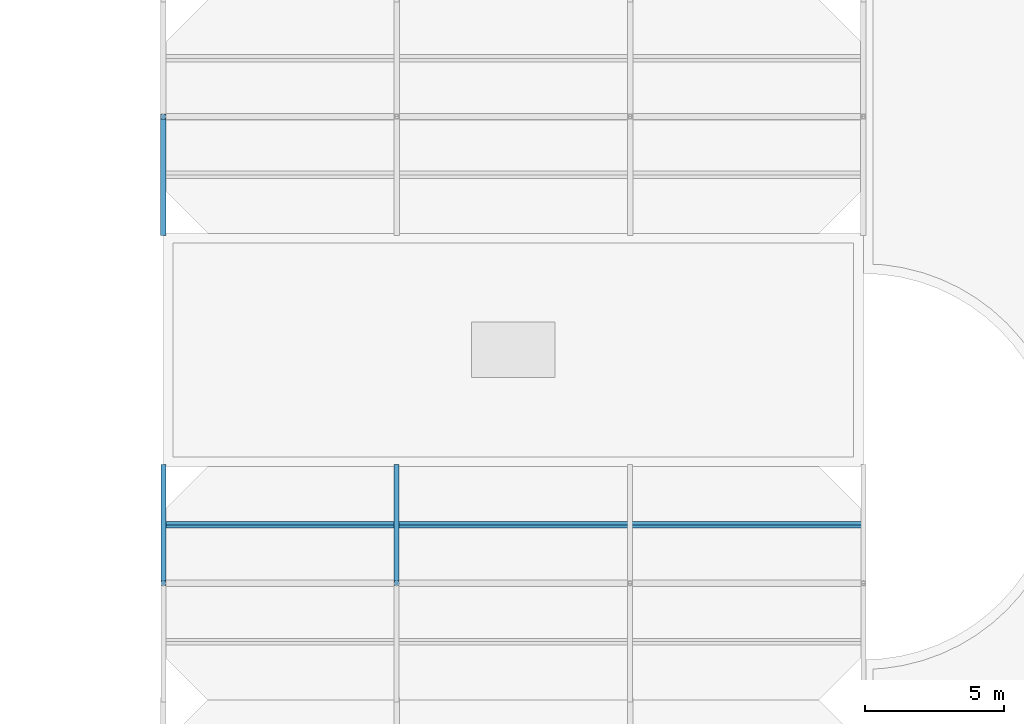
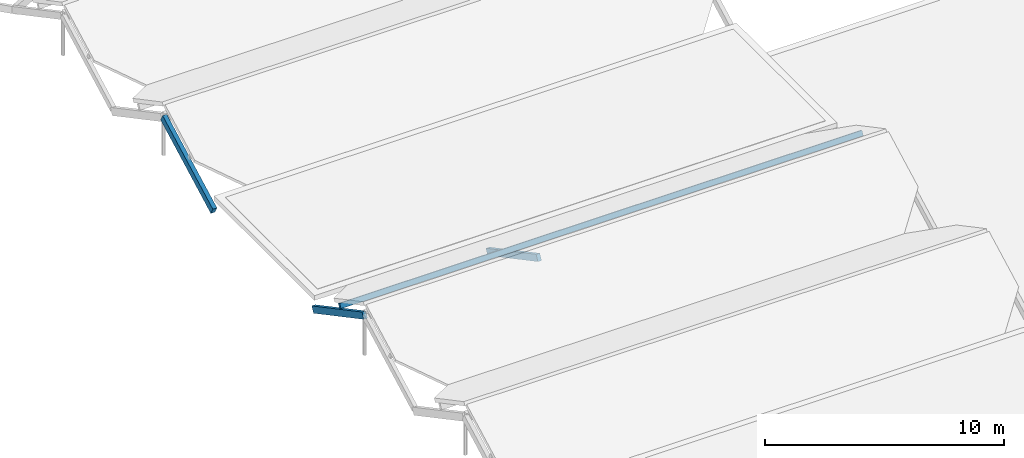
# One storey, part 52 of 82: 4 members.
"""IFC4 building model written with IfcOpenShell, lengths in metres."""

from ifc_helpers import new_model, si_unit, direction, frame, origin, origin_2d, place, context, subcontext, project, spatial, rectangle, extrude, material, material_profile, profile_set, type_object, element, save


model = new_model("IFC4")

# Units and contexts
model_context = context("Model", 3, precision=1e-05, world=origin(), true_north=direction((0.0, 1.0)))
body_context = subcontext(model_context, "Body", "Model", "MODEL_VIEW")
ifc_project = project(units=[si_unit("LENGTHUNIT", "METRE"), si_unit("AREAUNIT", "SQUARE_METRE"), si_unit("VOLUMEUNIT", "CUBIC_METRE"), si_unit("PLANEANGLEUNIT", "RADIAN"), si_unit("MASSUNIT", "GRAM", prefix="KILO")], contexts=[model_context])

# Site, building, storey
site_placement = place(None, origin())
site = spatial("IfcSite", under=ifc_project, at=site_placement, CompositionType="ELEMENT")
building_placement = place(site_placement, origin())
building = spatial("IfcBuilding", under=site, at=building_placement, Name="Bramfleet General Hospital", CompositionType="ELEMENT")
storey_placement = place(building_placement, frame((0.0, 0.0, 34.199951171875)))
storey = spatial("IfcBuildingStorey", under=building, at=storey_placement, Name="Roof", CompositionType="ELEMENT", Elevation=34.199951171875)

# Members
ifc_material = material(Name="Structural timber GL28h", Category="wood")
ifc_material_profile_1 = material_profile(ifc_material, rectangle(XDim=0.139892578125, YDim=0.239990234375, at=origin_2d()), Name="GL28h 240x140")
ifc_profile_set_1 = profile_set([ifc_material_profile_1], Name="Structural timber GL28h")
member_type_1 = type_object("IfcMemberType", Name="MEM-PR-GL240", PredefinedType="PURLIN", material=ifc_profile_set_1)
member_1_placement = place(storey_placement, frame((92.39990234375, 65.10009765625, 0.754638671875), z_axis=(1.0, 0.0, 0.0), x_axis=(0.0, 0.882947592859, -0.469471562786)))
element("IfcMember", 1, at=member_1_placement, inside=storey, type_object=member_type_1, Name="Patient House PH-12 North Glulam Purlin", PredefinedType="PURLIN", context=body_context, shape_type="SweptSolid", body=[
    extrude(rectangle(XDim=0.139892578125, YDim=0.239990234375, at=origin_2d()), origin(), (0.0, 0.0, 1.0), 25.2001953125),
])
ifc_material_profile_2 = material_profile(ifc_material, rectangle(XDim=0.179931640625, YDim=0.320068359375, at=origin_2d()), Name="GL28h 320x180")
ifc_profile_set_2 = profile_set([ifc_material_profile_2], Name="Structural timber GL28h")
member_type_2 = type_object("IfcMemberType", Name="MEM-RF-GL320", PredefinedType="RAFTER", material=ifc_profile_set_2)
for number, where, z_axis, x_axis, name in (
    (2, (92.39990234375, 63.0, 1.561279296875), (0.0, 0.882947536541, -0.469471668705), (-1.0, 0.0, 0.0), "Patient House PH-12 North Glulam Rafter 0"),
    (3, (100.800048828125, 63.0, 1.561279296875), (0.0, 0.882947536541, -0.469471668705), (-1.0, 0.0, 0.0), "Patient House PH-12 North Glulam Rafter 1"),
):
    element("IfcMember", number, at=place(storey_placement, frame(where, z_axis=z_axis, x_axis=x_axis)), inside=storey, type_object=member_type_2, Name=name, PredefinedType="RAFTER", context=body_context, shape_type="SweptSolid", body=[
        extrude(rectangle(XDim=0.179931640625, YDim=0.320068359375, at=origin_2d()), origin(), (0.0, 0.0, 1.0), 4.7568359375),
    ])
ifc_material_profile_3 = material_profile(ifc_material, rectangle(XDim=0.199951171875, YDim=0.360107421875, at=origin_2d()), Name="GL28h 360x200")
ifc_profile_set_3 = profile_set([ifc_material_profile_3], Name="Structural timber GL28h")
member_type_3 = type_object("IfcMemberType", Name="MEM-RF-GL360", PredefinedType="RAFTER", material=ifc_profile_set_3)
member_2_placement = place(storey_placement, frame((92.39990234375, 75.60009765625, -0.75634765625), z_axis=(0.0, 0.882947536541, 0.469471668705), x_axis=(-1.0, 0.0, 0.0)))
element("IfcMember", 4, at=member_2_placement, inside=storey, type_object=member_type_3, Name="Patient House PH-13 South Glulam Rafter 0", PredefinedType="RAFTER", context=body_context, shape_type="SweptSolid", body=[
    extrude(rectangle(XDim=0.199951171875, YDim=0.360107421875, at=origin_2d()), origin(), (0.0, 0.0, 1.0), 4.7568359375),
])

save(model, "model.ifc")
